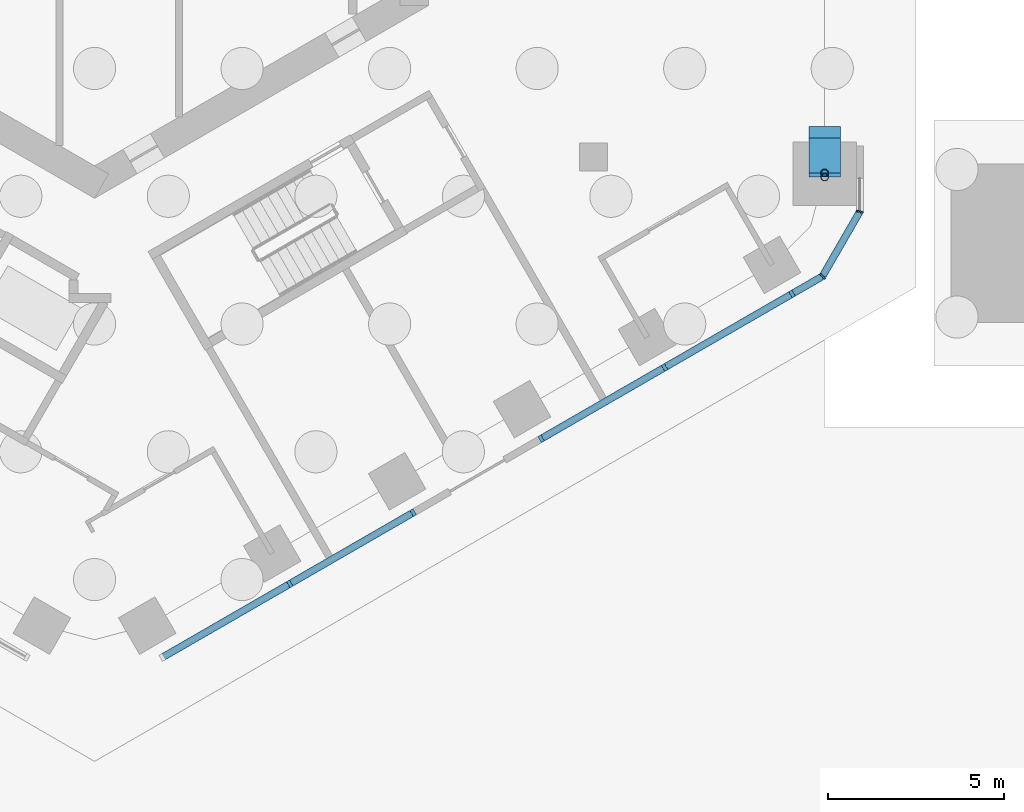
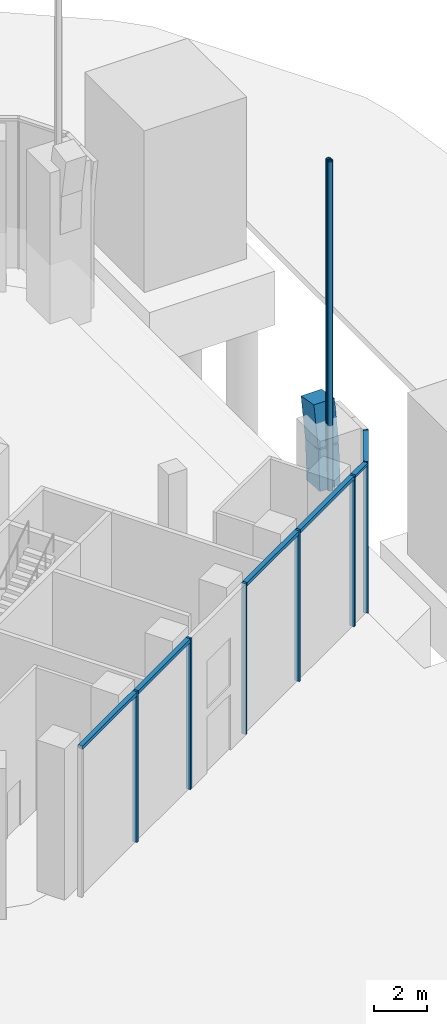
# One storey, part 3 of 18: 13 members, 2 beams, 3 elements without a shape of their own.
"""IFC4 building model written with IfcOpenShell, lengths in metres."""

from ifc_helpers import new_model, si_unit, direction, frame, origin, origin_2d, place, context, subcontext, project, spatial, rectangle, hollow_circle, extrude, material, layer, layer_set, material_profile, profile_set, type_object, element, aggregate, save


model = new_model("IFC4")

# Units and contexts
model_context = context("Model", 3, precision=1e-05, world=origin(), true_north=direction((0.0, 1.0)))
body_context = subcontext(model_context, "Body", "Model", "MODEL_VIEW")
ifc_project = project(units=[si_unit("LENGTHUNIT", "METRE"), si_unit("AREAUNIT", "SQUARE_METRE"), si_unit("VOLUMEUNIT", "CUBIC_METRE"), si_unit("PLANEANGLEUNIT", "RADIAN"), si_unit("MASSUNIT", "GRAM", prefix="KILO")], contexts=[model_context])

# Site, building, storey
site_placement = place(None, origin())
site = spatial("IfcSite", under=ifc_project, at=site_placement, CompositionType="ELEMENT")
building_placement = place(site_placement, origin())
building = spatial("IfcBuilding", under=site, at=building_placement, Name="Ayvan Gate Tower", CompositionType="ELEMENT")
storey_placement = place(building_placement, origin())
storey = spatial("IfcBuildingStorey", under=building, at=storey_placement, Name="L00", CompositionType="ELEMENT", Elevation=0.0)

# Beams
ifc_material_1 = material(Name="Concrete C60/75", Category="concrete")
ifc_material_profile_1 = material_profile(ifc_material_1, rectangle(XDim=0.89990234375, YDim=1.0, at=origin_2d()), Name="RC 900x1000")
ifc_profile_set_1 = profile_set([ifc_material_profile_1], Name="Concrete C60/75")
beam_type = type_object("IfcBeamType", Name="Arch rib RC 900x1000 C60/75", PredefinedType="BEAM", material=ifc_profile_set_1)
for number, where, z_axis, x_axis, name in (
    (1, (20.78466796875, -9.867919921875, 4.0), (0.0, 0.059573960117, 0.998223894362), (-1.0, 0.0, 0.0), "AR-0-1"),
    (2, (20.78466796875, -9.7568359375, 5.861328125), (0.0, 0.177929066797, 0.984043315708), (-1.0, 0.0, 0.0), "AR-0-2"),
):
    element("IfcBeam", number, at=place(storey_placement, frame(where, z_axis=z_axis, x_axis=x_axis)), inside=storey, type_object=beam_type, Name=name, PredefinedType="BEAM", context=body_context, shape_type="SweptSolid", body=[
        extrude(rectangle(XDim=0.89990234375, YDim=1.0, at=origin_2d()), origin(), (0.0, 0.0, 1.0), 1.86474609375),
    ])

# Members
ifc_material_2 = material(Name="Steel S460NH", Category="steel")
ifc_material_profile_2 = material_profile(ifc_material_2, hollow_circle(Radius=0.109619140625, WallThickness=0.012451171875, at=origin_2d()), Name="CHS 219.1x12.5")
ifc_profile_set_2 = profile_set([ifc_material_profile_2], Name="Steel S460NH")
member_type_1 = type_object("IfcMemberType", Name="Arch rib hanger CHS 219.1x12.5", PredefinedType="STRUT", material=ifc_profile_set_2)
member_1_placement = place(storey_placement, frame((20.78466796875, -10.366943359375, 3.97021484375), z_axis=(0.0, 0.0, 1.0), x_axis=(1.0, 0.0, 0.0)))
element("IfcMember", 3, at=member_1_placement, inside=storey, type_object=member_type_1, Name="ARH-0-1", PredefinedType="STRUT", context=body_context, shape_type="SweptSolid", body=[
    extrude(hollow_circle(Radius=0.109619140625, WallThickness=0.012451171875, at=origin_2d()), origin(), (0.0, 0.0, 1.0), 15.27978515625),
])
member_2_placement = place(storey_placement, frame((20.78466796875, -10.248779296875, 5.7724609375), z_axis=(0.0, 0.0, 1.0), x_axis=(1.0, 0.0, 0.0)))
element("IfcMember", 4, at=member_2_placement, inside=storey, type_object=member_type_1, Name="ARH-0-2", PredefinedType="STRUT", context=body_context, shape_type="SweptSolid", body=[
    extrude(hollow_circle(Radius=0.109619140625, WallThickness=0.012451171875, at=origin_2d()), origin(), (0.0, 0.0, 1.0), 13.4775390625),
])

# Curtain wall, members
ifc_material_3 = material(Name="Bronze anodised aluminium", Category="aluminium")
ifc_layer_1 = layer(ifc_material_3, 0.199951171875)
ifc_layer_set_1 = layer_set([ifc_layer_1], Name="Bronze anodised aluminium")
curtain_wall_type_1 = type_object("IfcCurtainWallType", Name="Stick curtain wall CW-3", PredefinedType="NOTDEFINED", material=ifc_layer_set_1)
curtain_wall_1_placement = place(storey_placement, origin())
curtain_wall_1 = element("IfcCurtainWall", 5, at=curtain_wall_1_placement, inside=storey, type_object=curtain_wall_type_1, Name="Stick curtain wall CW-3 L00", PredefinedType="NOTDEFINED")
ifc_material_profile_3 = material_profile(ifc_material_3, rectangle(XDim=0.199951171875, YDim=0.10009765625, at=origin_2d()), Name="Stick curtain wall CW-3 mullion 200 x 100")
ifc_profile_set_3 = profile_set([ifc_material_profile_3], Name="Bronze anodised aluminium")
member_type_2 = type_object("IfcMemberType", Name="Stick curtain wall CW-3 mullion 200 x 100", PredefinedType="MULLION", material=ifc_profile_set_3)
member_3_placement = place(storey_placement, frame((5.55712890625, -21.9462890625, 0.0), z_axis=(0.0, 0.0, 1.0), x_axis=(0.5, -0.866025403784, 0.0)))
member_3 = element("IfcMember", 6, at=member_3_placement, type_object=member_type_2, Name="CW-3 mullion 2", PredefinedType="MULLION", context=body_context, shape_type="SweptSolid", body=[
    extrude(rectangle(XDim=0.199951171875, YDim=0.10009765625, at=origin_2d()), origin(), (0.0, 0.0, 1.0), 7.0),
])
member_4_placement = place(storey_placement, frame((9.070556640625, -19.917724609375, 0.0), z_axis=(0.0, 0.0, 1.0), x_axis=(0.5, -0.866025403784, 0.0)))
member_4 = element("IfcMember", 7, at=member_4_placement, type_object=member_type_2, Name="CW-3 mullion 3", PredefinedType="MULLION", context=body_context, shape_type="SweptSolid", body=[
    extrude(rectangle(XDim=0.199951171875, YDim=0.10009765625, at=origin_2d()), origin(), (0.0, 0.0, 1.0), 7.0),
])

curtain_wall_2_placement = place(storey_placement, origin())
curtain_wall_2 = element("IfcCurtainWall", 8, at=curtain_wall_2_placement, inside=storey, type_object=curtain_wall_type_1, Name="Stick curtain wall CW-3 L00", PredefinedType="NOTDEFINED")
member_5_placement = place(storey_placement, frame((12.7138671875, -17.814208984375, 0.0), z_axis=(0.0, 0.0, 1.0), x_axis=(0.5, -0.866025403784, 0.0)))
member_5 = element("IfcMember", 9, at=member_5_placement, type_object=member_type_2, Name="CW-3 mullion 1", PredefinedType="MULLION", context=body_context, shape_type="SweptSolid", body=[
    extrude(rectangle(XDim=0.199951171875, YDim=0.10009765625, at=origin_2d()), origin(), (0.0, 0.0, 1.0), 7.0),
])
member_6_placement = place(storey_placement, frame((16.227294921875, -15.785888671875, 0.0), z_axis=(0.0, 0.0, 1.0), x_axis=(0.5, -0.866025403784, 0.0)))
member_6 = element("IfcMember", 10, at=member_6_placement, type_object=member_type_2, Name="CW-3 mullion 2", PredefinedType="MULLION", context=body_context, shape_type="SweptSolid", body=[
    extrude(rectangle(XDim=0.199951171875, YDim=0.10009765625, at=origin_2d()), origin(), (0.0, 0.0, 1.0), 7.0),
])
member_7_placement = place(storey_placement, frame((19.855224609375, -13.691162109375, 0.0), z_axis=(0.0, 0.0, 1.0), x_axis=(0.5, -0.866025403784, 0.0)))
member_7 = element("IfcMember", 11, at=member_7_placement, type_object=member_type_2, Name="CW-3 mullion 3", PredefinedType="MULLION", context=body_context, shape_type="SweptSolid", body=[
    extrude(rectangle(XDim=0.199951171875, YDim=0.10009765625, at=origin_2d()), origin(), (0.0, 0.0, 1.0), 7.0),
])

# Member
ifc_material_profile_4 = material_profile(ifc_material_3, rectangle(XDim=0.199951171875, YDim=0.159912109375, at=origin_2d()), Name="Stick curtain wall CW-3 transom 200 x 160")
ifc_profile_set_4 = profile_set([ifc_material_profile_4], Name="Bronze anodised aluminium")
member_type_3 = type_object("IfcMemberType", Name="Stick curtain wall CW-3 transom 200 x 160", PredefinedType="USERDEFINED", material=ifc_profile_set_4)
member_8_placement = place(storey_placement, frame((1.92919921875, -24.040771484375, 6.919921875), z_axis=(0.866026336112, 0.499998385158, 0.0), x_axis=(-0.499998385158, 0.866026336112, 0.0)))
member_8 = element("IfcMember", 12, at=member_8_placement, type_object=member_type_3, Name="CW-3 transom 1", ObjectType="TRANSOM", PredefinedType="USERDEFINED", context=body_context, shape_type="SweptSolid", body=[
    extrude(rectangle(XDim=0.199951171875, YDim=0.159912109375, at=origin_2d()), origin(), (0.0, 0.0, 1.0), 8.24609375),
])

aggregate(curtain_wall_1, [member_3, member_4, member_8])

member_9_placement = place(storey_placement, frame((12.7138671875, -17.814208984375, 6.919921875), z_axis=(0.866026336112, 0.499998385158, 0.0), x_axis=(-0.499998385158, 0.866026336112, 0.0)))
member_9 = element("IfcMember", 13, at=member_9_placement, type_object=member_type_3, Name="CW-3 transom 1", ObjectType="TRANSOM", PredefinedType="USERDEFINED", context=body_context, shape_type="SweptSolid", body=[
    extrude(rectangle(XDim=0.199951171875, YDim=0.159912109375, at=origin_2d()), origin(), (0.0, 0.0, 1.0), 8.24609375),
])

aggregate(curtain_wall_2, [member_5, member_6, member_7, member_9])

# Curtain wall, members
ifc_layer_2 = layer(ifc_material_3, 0.199951171875)
ifc_layer_set_2 = layer_set([ifc_layer_2], Name="Bronze anodised aluminium")
curtain_wall_type_2 = type_object("IfcCurtainWallType", Name="Stick curtain wall CW-6", PredefinedType="NOTDEFINED", material=ifc_layer_set_2)
curtain_wall_3_placement = place(storey_placement, origin())
curtain_wall_3 = element("IfcCurtainWall", 14, at=curtain_wall_3_placement, inside=storey, type_object=curtain_wall_type_2, Name="Stick curtain wall CW-6 L00", PredefinedType="NOTDEFINED")
ifc_material_profile_5 = material_profile(ifc_material_3, rectangle(XDim=0.199951171875, YDim=0.050048828125, at=origin_2d()), Name="Stick curtain wall CW-6 mullion 200 x 50")
ifc_profile_set_5 = profile_set([ifc_material_profile_5], Name="Bronze anodised aluminium")
member_type_4 = type_object("IfcMemberType", Name="Stick curtain wall CW-6 mullion 200 x 50", PredefinedType="MULLION", material=ifc_profile_set_5)
member_10_placement = place(storey_placement, frame((20.721435546875, -13.191162109375, 0.0), z_axis=(0.0, 0.0, 1.0), x_axis=(0.707106781187, -0.707106781187, 0.0)))
member_10 = element("IfcMember", 15, at=member_10_placement, type_object=member_type_4, Name="CW-6 mullion 2", PredefinedType="MULLION", context=body_context, shape_type="SweptSolid", body=[
    extrude(rectangle(XDim=0.199951171875, YDim=0.050048828125, at=origin_2d()), origin(), (0.0, 0.0, 1.0), 7.0),
])
member_11_placement = place(storey_placement, frame((21.78466796875, -11.349609375, 0.0), z_axis=(0.0, 0.0, 1.0), x_axis=(0.965925826289, -0.258819045103, 0.0)))
member_11 = element("IfcMember", 16, at=member_11_placement, type_object=member_type_4, Name="CW-6 mullion 3", PredefinedType="MULLION", context=body_context, shape_type="SweptSolid", body=[
    extrude(rectangle(XDim=0.199951171875, YDim=0.050048828125, at=origin_2d()), origin(), (0.0, 0.0, 1.0), 7.0),
])
ifc_material_profile_6 = material_profile(ifc_material_3, rectangle(XDim=0.199951171875, YDim=0.1201171875, at=origin_2d()), Name="Stick curtain wall CW-6 transom 200 x 120")
ifc_profile_set_6 = profile_set([ifc_material_profile_6], Name="Bronze anodised aluminium")
member_type_5 = type_object("IfcMemberType", Name="Stick curtain wall CW-6 transom 200 x 120", PredefinedType="USERDEFINED", material=ifc_profile_set_6)
member_12_placement = place(storey_placement, frame((19.898681640625, -13.666259765625, 6.93994140625), z_axis=(0.865943820382, 0.500141279983, 0.0), x_axis=(-0.500141279983, 0.865943820382, 0.0)))
member_12 = element("IfcMember", 17, at=member_12_placement, type_object=member_type_5, Name="CW-6 transom 1", ObjectType="TRANSOM", PredefinedType="USERDEFINED", context=body_context, shape_type="SweptSolid", body=[
    extrude(rectangle(XDim=0.199951171875, YDim=0.1201171875, at=origin_2d()), origin(), (0.0, 0.0, 1.0), 0.925048828125),
])
member_13_placement = place(storey_placement, frame((20.73388671875, -13.169677734375, 6.93994140625), z_axis=(0.500020978615, 0.866013291437, 0.0), x_axis=(-0.866013291437, 0.500020978615, 0.0)))
member_13 = element("IfcMember", 18, at=member_13_placement, type_object=member_type_5, Name="CW-6 transom 2", ObjectType="TRANSOM", PredefinedType="USERDEFINED", context=body_context, shape_type="SweptSolid", body=[
    extrude(rectangle(XDim=0.199951171875, YDim=0.1201171875, at=origin_2d()), origin(), (0.0, 0.0, 1.0), 2.07666015625),
])
aggregate(curtain_wall_3, [member_10, member_11, member_12, member_13])

save(model, "model.ifc")
